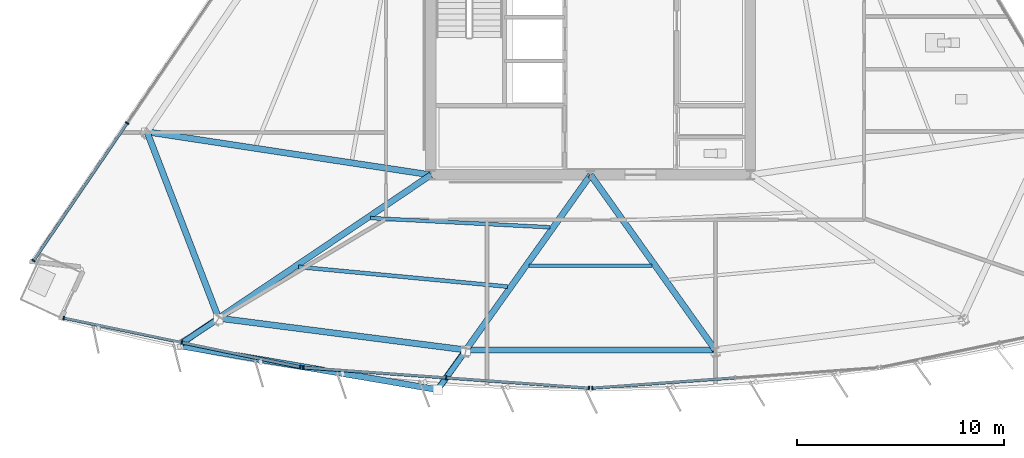
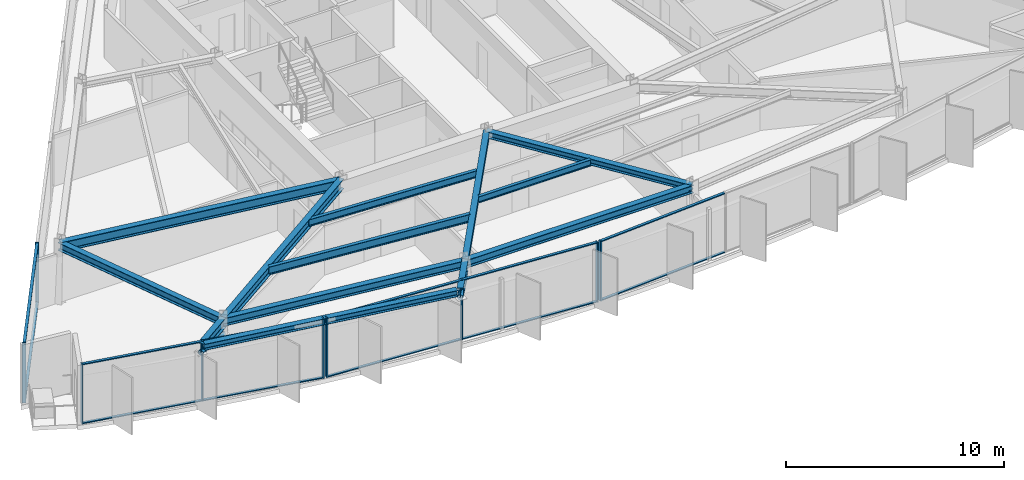
# One storey, part 2 of 15: 23 members, 13 beams, 4 elements without a shape of their own.
"""IFC4 building model written with IfcOpenShell, lengths in metres."""

from ifc_helpers import new_model, si_unit, direction, frame, origin, origin_2d, place, context, subcontext, project, spatial, rectangle, hollow_circle, i_section, extrude, material, material_profile, profile_set, type_object, element, aggregate, save


model = new_model("IFC4")

# Units and contexts
model_context = context("Model", 3, precision=1e-05, world=origin(), true_north=direction((0.0, 1.0)))
body_context = subcontext(model_context, "Body", "Model", "MODEL_VIEW")
ifc_project = project(units=[si_unit("LENGTHUNIT", "METRE"), si_unit("AREAUNIT", "SQUARE_METRE"), si_unit("VOLUMEUNIT", "CUBIC_METRE"), si_unit("PLANEANGLEUNIT", "RADIAN"), si_unit("MASSUNIT", "GRAM", prefix="KILO")], contexts=[model_context])

# Site, building, storey
site_placement = place(None, origin())
site = spatial("IfcSite", under=ifc_project, at=site_placement, CompositionType="ELEMENT")
building_placement = place(site_placement, origin())
building = spatial("IfcBuilding", under=site, at=building_placement, Name="Savorim Split Tower", CompositionType="ELEMENT")
storey_placement = place(building_placement, frame((0.0, 0.0, 145.800048828125)))
storey = spatial("IfcBuildingStorey", under=building, at=storey_placement, Name="L38", CompositionType="ELEMENT", Elevation=145.800048828125)

# Beams
ifc_material_1 = material(Name="Steel S355", Category="steel")
ifc_material_profile_1 = material_profile(ifc_material_1, i_section(OverallWidth=0.169921875, OverallDepth=0.360107421875, WebThickness=0.008056640625, FlangeThickness=0.0126953125, FilletRadius=0.01806640625, at=origin_2d()), Name="IPE 360")
ifc_profile_set_1 = profile_set([ifc_material_profile_1], Name="Steel S355")
beam_type_1 = type_object("IfcBeamType", Name="BM-JST-IPE360", PredefinedType="JOIST", material=ifc_profile_set_1)
beam_1_placement = place(storey_placement, frame((-2.96533203125, -13.7880859375, 3.169921875), z_axis=(1.0, 0.0, 0.0), x_axis=(0.0, 1.0, 0.0)))
element("IfcBeam", 1, at=beam_1_placement, inside=storey, type_object=beam_type_1, Name="L38 Secondary Floor Joist JS-03", PredefinedType="JOIST", context=body_context, shape_type="SweptSolid", body=[
    extrude(i_section(OverallWidth=0.169921875, OverallDepth=0.360107421875, WebThickness=0.008056640625, FlangeThickness=0.0126953125, FilletRadius=0.01806640625, at=origin_2d()), origin(), (0.0, 0.0, 1.0), 5.9306640625),
])
ifc_material_profile_2 = material_profile(ifc_material_1, i_section(OverallWidth=0.179931640625, OverallDepth=0.39990234375, WebThickness=0.008544921875, FlangeThickness=0.013427734375, FilletRadius=0.02099609375, at=origin_2d()), Name="IPE 400")
ifc_profile_set_2 = profile_set([ifc_material_profile_2], Name="Steel S355")
beam_type_2 = type_object("IfcBeamType", Name="BM-JST-IPE400", PredefinedType="JOIST", material=ifc_profile_set_2)
beam_2_placement = place(storey_placement, frame((-10.610107421875, -11.48046875, 3.14990234375), z_axis=(0.99869106334, -0.051148411556, 0.0), x_axis=(0.051148411556, 0.99869106334, 0.0)))
element("IfcBeam", 2, at=beam_2_placement, inside=storey, type_object=beam_type_2, Name="L38 Secondary Floor Joist JS-02", PredefinedType="JOIST", context=body_context, shape_type="SweptSolid", body=[
    extrude(i_section(OverallWidth=0.179931640625, OverallDepth=0.39990234375, WebThickness=0.008544921875, FlangeThickness=0.013427734375, FilletRadius=0.02099609375, at=origin_2d()), origin(), (0.0, 0.0, 1.0), 8.658447265625),
])
ifc_material_profile_3 = material_profile(ifc_material_1, i_section(OverallWidth=0.18994140625, OverallDepth=0.449951171875, WebThickness=0.009521484375, FlangeThickness=0.0146484375, FilletRadius=0.02099609375, at=origin_2d()), Name="IPE 450")
ifc_profile_set_3 = profile_set([ifc_material_profile_3], Name="Steel S355")
beam_type_3 = type_object("IfcBeamType", Name="BM-JST-IPE450", PredefinedType="JOIST", material=ifc_profile_set_3)
beam_3_placement = place(storey_placement, frame((-14.089599609375, -13.8359375, 3.125), z_axis=(0.99559416259, -0.093767070006, 0.0), x_axis=(0.093767070006, 0.99559416259, 0.0)))
element("IfcBeam", 3, at=beam_3_placement, inside=storey, type_object=beam_type_3, Name="L38 Secondary Floor Joist JS-01", PredefinedType="JOIST", context=body_context, shape_type="SweptSolid", body=[
    extrude(i_section(OverallWidth=0.18994140625, OverallDepth=0.449951171875, WebThickness=0.009521484375, FlangeThickness=0.0146484375, FilletRadius=0.02099609375, at=origin_2d()), origin(), (0.0, 0.0, 1.0), 10.12841796875),
])
ifc_material_profile_4 = material_profile(ifc_material_1, i_section(OverallWidth=0.300048828125, OverallDepth=0.360107421875, WebThickness=0.012451171875, FlangeThickness=0.0224609375, FilletRadius=0.027099609375, at=origin_2d()), Name="HEB 360")
ifc_profile_set_4 = profile_set([ifc_material_profile_4], Name="Steel S355")
beam_type_4 = type_object("IfcBeamType", Name="BM-PRI-HEB360", PredefinedType="BEAM", material=ifc_profile_set_4)
for number, where, z_axis, x_axis, name in (
    (4, (-6.01025390625, -17.83837890625, 3.169921875), (0.580136450197, 0.814519305574, 0.0), (-0.814519305574, 0.580136450197, 0.0), "L38 Primary Floor Girder RG-02"),
    (5, (6.01025390625, -17.83837890625, 3.169921875), (-0.580136450197, 0.814519305574, 0.0), (-0.814519305574, -0.580136450197, 0.0), "L38 Primary Floor Girder RG-03"),
):
    element("IfcBeam", number, at=place(storey_placement, frame(where, z_axis=z_axis, x_axis=x_axis)), inside=storey, type_object=beam_type_4, Name=name, PredefinedType="BEAM", context=body_context, shape_type="SweptSolid", body=[
        extrude(i_section(OverallWidth=0.300048828125, OverallDepth=0.360107421875, WebThickness=0.012451171875, FlangeThickness=0.0224609375, FilletRadius=0.027099609375, at=origin_2d()), origin(), (0.0, 0.0, 1.0), 10.360107421875),
    ])
ifc_material_profile_5 = material_profile(ifc_material_1, i_section(OverallWidth=0.300048828125, OverallDepth=0.550048828125, WebThickness=0.014892578125, FlangeThickness=0.029052734375, FilletRadius=0.027099609375, at=origin_2d()), Name="HEB 550")
ifc_profile_set_5 = profile_set([ifc_material_profile_5], Name="Steel S355")
beam_type_5 = type_object("IfcBeamType", Name="BM-PRI-HEB550", PredefinedType="BEAM", material=ifc_profile_set_5)
beam_4_placement = place(storey_placement, frame((-17.9326171875, -16.3076171875, 3.074951171875), z_axis=(0.828823685095, 0.559509873931, 0.0), x_axis=(-0.559509873931, 0.828823685095, 0.0)))
element("IfcBeam", 6, at=beam_4_placement, inside=storey, type_object=beam_type_5, Name="L38 Primary Floor Girder RG-01", PredefinedType="BEAM", context=body_context, shape_type="SweptSolid", body=[
    extrude(i_section(OverallWidth=0.300048828125, OverallDepth=0.550048828125, WebThickness=0.014892578125, FlangeThickness=0.029052734375, FilletRadius=0.027099609375, at=origin_2d()), origin(), (0.0, 0.0, 1.0), 12.345947265625),
])
beam_5_placement = place(storey_placement, frame((-21.38427734375, -7.324462890625, 3.074951171875), z_axis=(0.988693484168, -0.149950639755, 0.0), x_axis=(0.149950639755, 0.988693484168, 0.0)))
element("IfcBeam", 7, at=beam_5_placement, inside=storey, type_object=beam_type_5, Name="L38 Primary Floor Girder RG-10", PredefinedType="BEAM", context=body_context, shape_type="SweptSolid", body=[
    extrude(i_section(OverallWidth=0.300048828125, OverallDepth=0.550048828125, WebThickness=0.014892578125, FlangeThickness=0.029052734375, FilletRadius=0.027099609375, at=origin_2d()), origin(), (0.0, 0.0, 1.0), 13.8408203125),
])
for number, where, z_axis, x_axis, name in (
    (8, (-17.9326171875, -16.3076171875, 3.074951171875), (-0.828855900548, -0.559462148966, 0.0), (0.559462148966, -0.828855900548, 0.0), "L38 Cantilevered Lounge Rib 1"),
    (9, (-6.01025390625, -17.83837890625, 3.074951171875), (-0.580136960707, -0.814518941966, 0.0), (0.814518941966, -0.580136960707, 0.0), "L38 Cantilevered Lounge Rib 2"),
):
    element("IfcBeam", number, at=place(storey_placement, frame(where, z_axis=z_axis, x_axis=x_axis)), inside=storey, type_object=beam_type_5, Name=name, PredefinedType="BEAM", context=body_context, shape_type="SweptSolid", body=[
        extrude(i_section(OverallWidth=0.300048828125, OverallDepth=0.550048828125, WebThickness=0.014892578125, FlangeThickness=0.029052734375, FilletRadius=0.027099609375, at=origin_2d()), origin(), (0.0, 0.0, 1.0), 2.349853515625),
    ])
ifc_material_profile_6 = material_profile(ifc_material_1, i_section(OverallWidth=0.300048828125, OverallDepth=0.35009765625, WebThickness=0.010009765625, FlangeThickness=0.017578125, FilletRadius=0.027099609375, at=origin_2d()), Name="HEA 360")
ifc_profile_set_6 = profile_set([ifc_material_profile_6], Name="Steel S355")
beam_type_6 = type_object("IfcBeamType", Name="BM-SPN-HEA360", PredefinedType="SPANDREL", material=ifc_profile_set_6)
beam_6_placement = place(storey_placement, frame((-19.72265625, -17.6494140625, 3.175048828125), z_axis=(0.985807270115, -0.167880988166, 0.0), x_axis=(0.167880988166, 0.985807270115, 0.0)))
element("IfcBeam", 10, at=beam_6_placement, inside=storey, type_object=beam_type_6, Name="L38 Cantilevered Lounge Front Edge Beam", PredefinedType="SPANDREL", context=body_context, shape_type="SweptSolid", body=[
    extrude(i_section(OverallWidth=0.300048828125, OverallDepth=0.35009765625, WebThickness=0.010009765625, FlangeThickness=0.017578125, FilletRadius=0.027099609375, at=origin_2d()), origin(), (0.0, 0.0, 1.0), 12.366943359375),
])
ifc_material_profile_7 = material_profile(ifc_material_1, i_section(OverallWidth=0.300048828125, OverallDepth=0.43994140625, WebThickness=0.011474609375, FlangeThickness=0.02099609375, FilletRadius=0.027099609375, at=origin_2d()), Name="HEA 450")
ifc_profile_set_7 = profile_set([ifc_material_profile_7], Name="Steel S355")
beam_type_7 = type_object("IfcBeamType", Name="BM-SPN-HEA450", PredefinedType="SPANDREL", material=ifc_profile_set_7)
beam_7_placement = place(storey_placement, frame((-17.9326171875, -16.3076171875, 3.1298828125), z_axis=(0.991857999764, -0.127348766403, 0.0), x_axis=(0.127348766403, 0.991857999764, 0.0)))
element("IfcBeam", 11, at=beam_7_placement, inside=storey, type_object=beam_type_7, Name="L38 Perimeter Spandrel Beam 1", PredefinedType="SPANDREL", context=body_context, shape_type="SweptSolid", body=[
    extrude(i_section(OverallWidth=0.300048828125, OverallDepth=0.43994140625, WebThickness=0.011474609375, FlangeThickness=0.02099609375, FilletRadius=0.027099609375, at=origin_2d()), origin(), (0.0, 0.0, 1.0), 12.020263671875),
])
beam_8_placement = place(storey_placement, frame((-6.01025390625, -17.83837890625, 3.1298828125), z_axis=(1.0, 0.0, 0.0), x_axis=(0.0, 1.0, 0.0)))
element("IfcBeam", 12, at=beam_8_placement, inside=storey, type_object=beam_type_7, Name="L38 Perimeter Spandrel Beam 2", PredefinedType="SPANDREL", context=body_context, shape_type="SweptSolid", body=[
    extrude(i_section(OverallWidth=0.300048828125, OverallDepth=0.43994140625, WebThickness=0.011474609375, FlangeThickness=0.02099609375, FilletRadius=0.027099609375, at=origin_2d()), origin(), (0.0, 0.0, 1.0), 12.0205078125),
])
beam_9_placement = place(storey_placement, frame((-21.38427734375, -7.324462890625, 3.1298828125), z_axis=(0.358671358794, -0.933463902024, 0.0), x_axis=(0.933463902024, 0.358671358794, 0.0)))
element("IfcBeam", 13, at=beam_9_placement, inside=storey, type_object=beam_type_7, Name="L38 Perimeter Spandrel Beam 10", PredefinedType="SPANDREL", context=body_context, shape_type="SweptSolid", body=[
    extrude(i_section(OverallWidth=0.300048828125, OverallDepth=0.43994140625, WebThickness=0.011474609375, FlangeThickness=0.02099609375, FilletRadius=0.027099609375, at=origin_2d()), origin(), (0.0, 0.0, 1.0), 9.62353515625),
])

# Curtain wall, members
ifc_material_2 = material(Name="Dark Ceramic-Fritted Insulated Glass", Category="glass")
curtain_wall_type = type_object("IfcCurtainWallType", Name="CW-TWR-FRIT-A", PredefinedType="NOTDEFINED", material=ifc_material_2)
curtain_wall_1_placement = place(storey_placement, origin())
curtain_wall_1 = element("IfcCurtainWall", 14, at=curtain_wall_1_placement, inside=storey, type_object=curtain_wall_type, Name="L38 Curtain Wall CW-L38-SF1", PredefinedType="NOTDEFINED")
ifc_material_3 = material(Name="Charcoal Anodised Aluminium", Category="aluminium")
ifc_material_profile_8 = material_profile(ifc_material_3, rectangle(XDim=0.179931640625, YDim=0.06494140625, at=origin_2d()), Name="ALU-M 180x65")
ifc_profile_set_8 = profile_set([ifc_material_profile_8], Name="Charcoal Anodised Aluminium")
member_type_1 = type_object("IfcMemberType", Name="CWM-180x65", PredefinedType="MULLION", material=ifc_profile_set_8)
member_1_placement = place(storey_placement, frame((-25.402099609375, -16.30029296875, 0.0), z_axis=(0.0, 0.0, 1.0), x_axis=(0.203209964912, 0.979135184824, 0.0)))
member_1 = element("IfcMember", 15, at=member_1_placement, type_object=member_type_1, Name="CW-02 mullion 1", PredefinedType="MULLION", context=body_context, shape_type="SweptSolid", body=[
    extrude(rectangle(XDim=0.179931640625, YDim=0.06494140625, at=origin_2d()), origin(), (0.0, 0.0, 1.0), 3.349853515625),
])
member_2_placement = place(storey_placement, frame((-19.70458984375, -17.482666015625, 0.0), z_axis=(0.0, 0.0, 1.0), x_axis=(0.203209964912, 0.979135184824, 0.0)))
member_2 = element("IfcMember", 16, at=member_2_placement, type_object=member_type_1, Name="CW-02 mullion 2", PredefinedType="MULLION", context=body_context, shape_type="SweptSolid", body=[
    extrude(rectangle(XDim=0.179931640625, YDim=0.06494140625, at=origin_2d()), origin(), (0.0, 0.0, 1.0), 3.349853515625),
])
member_3_placement = place(storey_placement, frame((-14.007080078125, -18.6650390625, 0.0), z_axis=(0.0, 0.0, 1.0), x_axis=(0.203209964912, 0.979135184824, 0.0)))
member_3 = element("IfcMember", 17, at=member_3_placement, type_object=member_type_1, Name="CW-02 mullion 3", PredefinedType="MULLION", context=body_context, shape_type="SweptSolid", body=[
    extrude(rectangle(XDim=0.179931640625, YDim=0.06494140625, at=origin_2d()), origin(), (0.0, 0.0, 1.0), 3.349853515625),
])

curtain_wall_2_placement = place(storey_placement, origin())
curtain_wall_2 = element("IfcCurtainWall", 18, at=curtain_wall_2_placement, inside=storey, type_object=curtain_wall_type, Name="L38 Curtain Wall CW-L38-SF2", PredefinedType="NOTDEFINED")
member_4_placement = place(storey_placement, frame((-13.840087890625, -18.688232421875, 0.0), z_axis=(0.0, 0.0, 1.0), x_axis=(0.071560918492, 0.997436231017, 0.0)))
member_4 = element("IfcMember", 19, at=member_4_placement, type_object=member_type_1, Name="CW-02 mullion 1", PredefinedType="MULLION", context=body_context, shape_type="SweptSolid", body=[
    extrude(rectangle(XDim=0.179931640625, YDim=0.06494140625, at=origin_2d()), origin(), (0.0, 0.0, 1.0), 3.349853515625),
])
member_5_placement = place(storey_placement, frame((-6.9619140625, -19.181884765625, 0.0), z_axis=(0.0, 0.0, 1.0), x_axis=(0.071560918492, 0.997436231017, 0.0)))
member_5 = element("IfcMember", 20, at=member_5_placement, type_object=member_type_1, Name="CW-02 mullion 2", PredefinedType="MULLION", context=body_context, shape_type="SweptSolid", body=[
    extrude(rectangle(XDim=0.179931640625, YDim=0.06494140625, at=origin_2d()), origin(), (0.0, 0.0, 1.0), 3.349853515625),
])
member_6_placement = place(storey_placement, frame((-0.083740234375, -19.67529296875, 0.0), z_axis=(0.0, 0.0, 1.0), x_axis=(0.071560918492, 0.997436231017, 0.0)))
member_6 = element("IfcMember", 21, at=member_6_placement, type_object=member_type_1, Name="CW-02 mullion 3", PredefinedType="MULLION", context=body_context, shape_type="SweptSolid", body=[
    extrude(rectangle(XDim=0.179931640625, YDim=0.06494140625, at=origin_2d()), origin(), (0.0, 0.0, 1.0), 3.349853515625),
])

# Curtain wall, member
curtain_wall_3_placement = place(storey_placement, origin())
curtain_wall_3 = element("IfcCurtainWall", 22, at=curtain_wall_3_placement, inside=storey, type_object=curtain_wall_type, Name="L38 Curtain Wall CW-L38-SF3", PredefinedType="NOTDEFINED")
member_7_placement = place(storey_placement, frame((0.083740234375, -19.67529296875, 0.0), z_axis=(0.0, 0.0, 1.0), x_axis=(-0.071560918492, 0.997436231017, 0.0)))
member_7 = element("IfcMember", 23, at=member_7_placement, type_object=member_type_1, Name="CW-02 mullion 1", PredefinedType="MULLION", context=body_context, shape_type="SweptSolid", body=[
    extrude(rectangle(XDim=0.179931640625, YDim=0.06494140625, at=origin_2d()), origin(), (0.0, 0.0, 1.0), 3.349853515625),
])

# Curtain wall, members
curtain_wall_4_placement = place(storey_placement, origin())
curtain_wall_4 = element("IfcCurtainWall", 24, at=curtain_wall_4_placement, inside=storey, type_object=curtain_wall_type, Name="L38 Curtain Wall CW-L38-WEST", PredefinedType="NOTDEFINED")
member_8_placement = place(storey_placement, frame((-22.343505859375, -6.900634765625, 0.0), z_axis=(0.0, 0.0, 1.0), x_axis=(0.826820104662, -0.562466456356, 0.0)))
member_8 = element("IfcMember", 25, at=member_8_placement, type_object=member_type_1, Name="CW-02 mullion 4", PredefinedType="MULLION", context=body_context, shape_type="SweptSolid", body=[
    extrude(rectangle(XDim=0.179931640625, YDim=0.06494140625, at=origin_2d()), origin(), (0.0, 0.0, 1.0), 3.349853515625),
])
member_9_placement = place(storey_placement, frame((-26.856201171875, -13.534423828125, 0.0), z_axis=(0.0, 0.0, 1.0), x_axis=(0.826820104662, -0.562466456356, 0.0)))
member_9 = element("IfcMember", 26, at=member_9_placement, type_object=member_type_1, Name="CW-02 mullion 5", PredefinedType="MULLION", context=body_context, shape_type="SweptSolid", body=[
    extrude(rectangle(XDim=0.179931640625, YDim=0.06494140625, at=origin_2d()), origin(), (0.0, 0.0, 1.0), 3.349853515625),
])

# Member
ifc_material_profile_9 = material_profile(ifc_material_3, rectangle(XDim=0.139892578125, YDim=0.054931640625, at=origin_2d()), Name="ALU-T 140x55")
ifc_profile_set_9 = profile_set([ifc_material_profile_9], Name="Charcoal Anodised Aluminium")
member_type_2 = type_object("IfcMemberType", Name="CWT-140x55", PredefinedType="USERDEFINED", material=ifc_profile_set_9)
member_10_placement = place(storey_placement, frame((-25.3701171875, -16.306884765625, 0.02734375), z_axis=(0.979136864004, -0.203201873883, 0.0), x_axis=(0.203201873883, 0.979136864004, 0.0)))
member_10 = element("IfcMember", 27, at=member_10_placement, type_object=member_type_2, Name="CW-02 transom 1.1", ObjectType="TRANSOM", PredefinedType="USERDEFINED", context=body_context, shape_type="SweptSolid", body=[
    extrude(rectangle(XDim=0.139892578125, YDim=0.054931640625, at=origin_2d()), origin(), (0.0, 0.0, 1.0), 5.75390625),
])

member_11_placement = place(storey_placement, frame((-25.3701171875, -16.306884765625, 3.322509765625), z_axis=(0.979136864004, -0.203201873883, 0.0), x_axis=(0.203201873883, 0.979136864004, 0.0)))
member_11 = element("IfcMember", 28, at=member_11_placement, type_object=member_type_2, Name="CW-02 transom 1.2", ObjectType="TRANSOM", PredefinedType="USERDEFINED", context=body_context, shape_type="SweptSolid", body=[
    extrude(rectangle(XDim=0.139892578125, YDim=0.054931640625, at=origin_2d()), origin(), (0.0, 0.0, 1.0), 5.75390625),
])

member_12_placement = place(storey_placement, frame((-19.672607421875, -17.4892578125, 0.02734375), z_axis=(0.979135111877, -0.203210316394, 0.0), x_axis=(0.203210316394, 0.979135111877, 0.0)))
member_12 = element("IfcMember", 29, at=member_12_placement, type_object=member_type_2, Name="CW-02 transom 2.1", ObjectType="TRANSOM", PredefinedType="USERDEFINED", context=body_context, shape_type="SweptSolid", body=[
    extrude(rectangle(XDim=0.139892578125, YDim=0.054931640625, at=origin_2d()), origin(), (0.0, 0.0, 1.0), 5.753662109375),
])

member_13_placement = place(storey_placement, frame((-19.672607421875, -17.4892578125, 3.322509765625), z_axis=(0.979135111877, -0.203210316394, 0.0), x_axis=(0.203210316394, 0.979135111877, 0.0)))
member_13 = element("IfcMember", 30, at=member_13_placement, type_object=member_type_2, Name="CW-02 transom 2.2", ObjectType="TRANSOM", PredefinedType="USERDEFINED", context=body_context, shape_type="SweptSolid", body=[
    extrude(rectangle(XDim=0.139892578125, YDim=0.054931640625, at=origin_2d()), origin(), (0.0, 0.0, 1.0), 5.753662109375),
])

aggregate(curtain_wall_1, [member_1, member_2, member_3, member_10, member_11, member_12, member_13])

member_14_placement = place(storey_placement, frame((-13.8076171875, -18.690673828125, 0.02734375), z_axis=(0.99743669961, -0.071554386807, 0.0), x_axis=(0.071554386807, 0.99743669961, 0.0)))
member_14 = element("IfcMember", 31, at=member_14_placement, type_object=member_type_2, Name="CW-02 transom 1.1", ObjectType="TRANSOM", PredefinedType="USERDEFINED", context=body_context, shape_type="SweptSolid", body=[
    extrude(rectangle(XDim=0.139892578125, YDim=0.054931640625, at=origin_2d()), origin(), (0.0, 0.0, 1.0), 6.830810546875),
])

member_15_placement = place(storey_placement, frame((-13.8076171875, -18.690673828125, 3.322509765625), z_axis=(0.99743669961, -0.071554386807, 0.0), x_axis=(0.071554386807, 0.99743669961, 0.0)))
member_15 = element("IfcMember", 32, at=member_15_placement, type_object=member_type_2, Name="CW-02 transom 1.2", ObjectType="TRANSOM", PredefinedType="USERDEFINED", context=body_context, shape_type="SweptSolid", body=[
    extrude(rectangle(XDim=0.139892578125, YDim=0.054931640625, at=origin_2d()), origin(), (0.0, 0.0, 1.0), 6.830810546875),
])

member_16_placement = place(storey_placement, frame((-6.929443359375, -19.18408203125, 0.02734375), z_axis=(0.99743669961, -0.071554386807, 0.0), x_axis=(0.071554386807, 0.99743669961, 0.0)))
member_16 = element("IfcMember", 33, at=member_16_placement, type_object=member_type_2, Name="CW-02 transom 2.1", ObjectType="TRANSOM", PredefinedType="USERDEFINED", context=body_context, shape_type="SweptSolid", body=[
    extrude(rectangle(XDim=0.139892578125, YDim=0.054931640625, at=origin_2d()), origin(), (0.0, 0.0, 1.0), 6.830810546875),
])

member_17_placement = place(storey_placement, frame((-6.929443359375, -19.18408203125, 3.322509765625), z_axis=(0.99743669961, -0.071554386807, 0.0), x_axis=(0.071554386807, 0.99743669961, 0.0)))
member_17 = element("IfcMember", 34, at=member_17_placement, type_object=member_type_2, Name="CW-02 transom 2.2", ObjectType="TRANSOM", PredefinedType="USERDEFINED", context=body_context, shape_type="SweptSolid", body=[
    extrude(rectangle(XDim=0.139892578125, YDim=0.054931640625, at=origin_2d()), origin(), (0.0, 0.0, 1.0), 6.830810546875),
])

aggregate(curtain_wall_2, [member_4, member_5, member_6, member_14, member_15, member_16, member_17])

member_18_placement = place(storey_placement, frame((0.1162109375, -19.6728515625, 0.02734375), z_axis=(0.99743669961, 0.071554386807, 0.0), x_axis=(-0.071554386807, 0.99743669961, 0.0)))
member_18 = element("IfcMember", 35, at=member_18_placement, type_object=member_type_2, Name="CW-02 transom 1.1", ObjectType="TRANSOM", PredefinedType="USERDEFINED", context=body_context, shape_type="SweptSolid", body=[
    extrude(rectangle(XDim=0.139892578125, YDim=0.054931640625, at=origin_2d()), origin(), (0.0, 0.0, 1.0), 6.830810546875),
])

member_19_placement = place(storey_placement, frame((0.1162109375, -19.6728515625, 3.322509765625), z_axis=(0.99743669961, 0.071554386807, 0.0), x_axis=(-0.071554386807, 0.99743669961, 0.0)))
member_19 = element("IfcMember", 36, at=member_19_placement, type_object=member_type_2, Name="CW-02 transom 1.2", ObjectType="TRANSOM", PredefinedType="USERDEFINED", context=body_context, shape_type="SweptSolid", body=[
    extrude(rectangle(XDim=0.139892578125, YDim=0.054931640625, at=origin_2d()), origin(), (0.0, 0.0, 1.0), 6.830810546875),
])

aggregate(curtain_wall_3, [member_7, member_18, member_19])

member_20_placement = place(storey_placement, frame((-22.36181640625, -6.927490234375, 0.02734375), z_axis=(-0.562449306034, -0.826831771367, 0.0), x_axis=(0.826831771367, -0.562449306034, 0.0)))
member_20 = element("IfcMember", 37, at=member_20_placement, type_object=member_type_2, Name="CW-02 transom 4.1", ObjectType="TRANSOM", PredefinedType="USERDEFINED", context=body_context, shape_type="SweptSolid", body=[
    extrude(rectangle(XDim=0.139892578125, YDim=0.054931640625, at=origin_2d()), origin(), (0.0, 0.0, 1.0), 7.958251953125),
])

member_21_placement = place(storey_placement, frame((-22.36181640625, -6.927490234375, 3.322509765625), z_axis=(-0.562449306034, -0.826831771367, 0.0), x_axis=(0.826831771367, -0.562449306034, 0.0)))
member_21 = element("IfcMember", 38, at=member_21_placement, type_object=member_type_2, Name="CW-02 transom 4.2", ObjectType="TRANSOM", PredefinedType="USERDEFINED", context=body_context, shape_type="SweptSolid", body=[
    extrude(rectangle(XDim=0.139892578125, YDim=0.054931640625, at=origin_2d()), origin(), (0.0, 0.0, 1.0), 7.958251953125),
])

aggregate(curtain_wall_4, [member_8, member_9, member_20, member_21])

# Members
ifc_material_profile_10 = material_profile(ifc_material_1, hollow_circle(Radius=0.136474609375, WallThickness=0.01611328125, at=origin_2d()), Name="CHS 273x16")
ifc_profile_set_10 = profile_set([ifc_material_profile_10], Name="Steel S355")
member_type_3 = type_object("IfcMemberType", Name="MBR-CRN-CHS273", PredefinedType="BRACE", material=ifc_profile_set_10)
member_22_placement = place(storey_placement, frame((-17.956298828125, -16.34619140625, 2.449951171875), z_axis=(-0.82285963472, -0.545754004654, 0.158286411145), x_axis=(0.552722038276, -0.833365675082, 0.0)))
element("IfcMember", 39, at=member_22_placement, inside=storey, type_object=member_type_3, Name="L38 Cantilevered Bay Support Strut 1", PredefinedType="BRACE", context=body_context, shape_type="SweptSolid", body=[
    extrude(hollow_circle(Radius=0.136474609375, WallThickness=0.01611328125, at=origin_2d()), origin(), (0.0, 0.0, 1.0), 2.33837890625),
])
member_23_placement = place(storey_placement, frame((-6.01806640625, -17.87890625, 2.449951171875), z_axis=(-0.578794379472, -0.800012260099, 0.158042557507), x_axis=(0.810194540826, -0.586161075145, 0.0)))
element("IfcMember", 40, at=member_23_placement, inside=storey, type_object=member_type_3, Name="L38 Cantilevered Bay Support Strut 2", PredefinedType="BRACE", context=body_context, shape_type="SweptSolid", body=[
    extrude(hollow_circle(Radius=0.136474609375, WallThickness=0.01611328125, at=origin_2d()), origin(), (0.0, 0.0, 1.0), 2.341796875),
])

save(model, "model.ifc")
